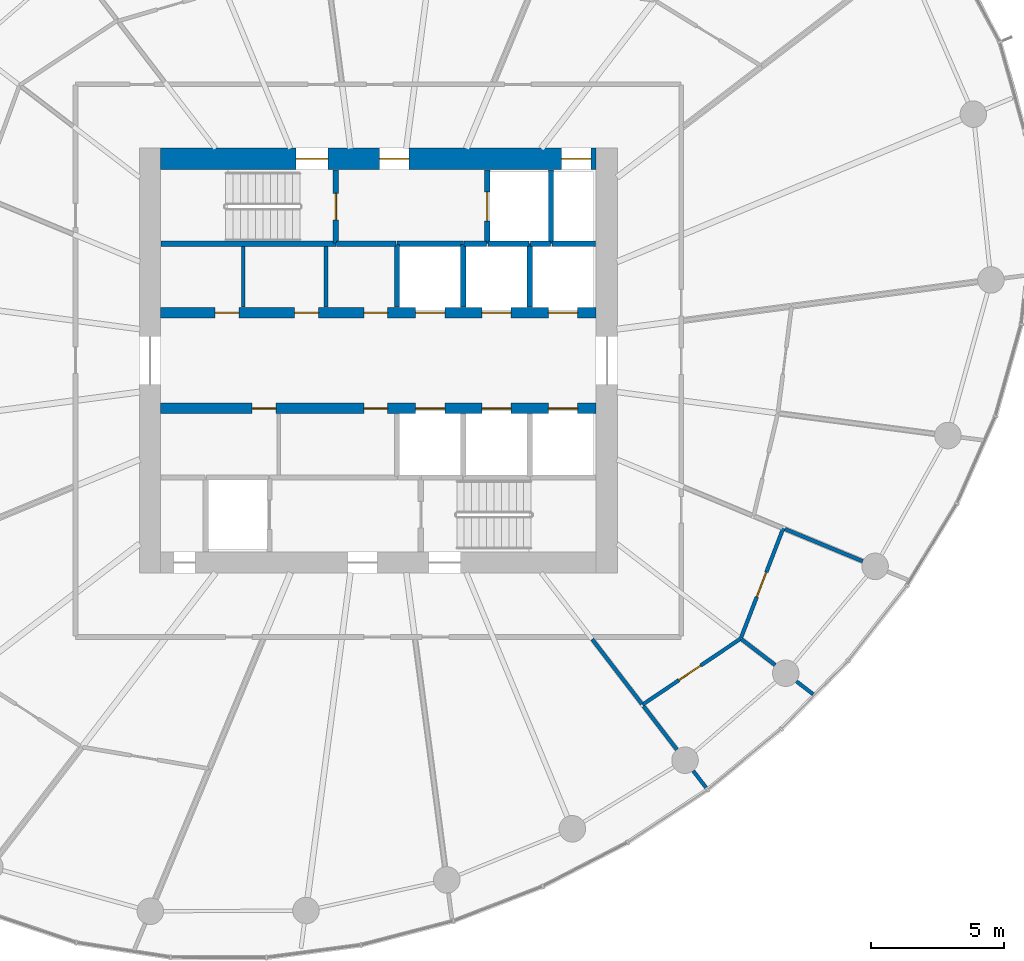
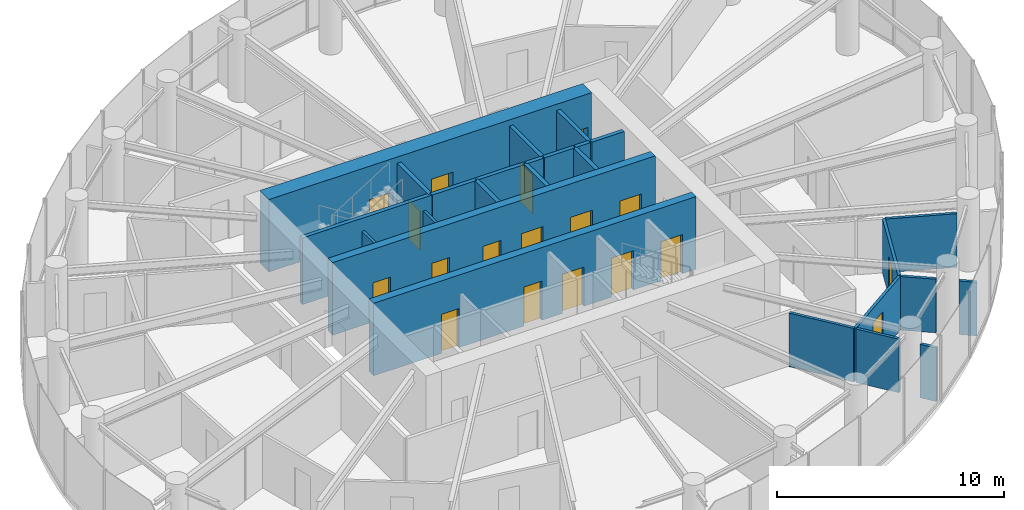
# One storey, part 10 of 15: 26 walls, 18 doors, 18 openings.
"""IFC4 building model written with IfcOpenShell, lengths in metres."""

from ifc_helpers import new_model, si_unit, direction, frame, frame_2d, origin, place, context, subcontext, project, spatial, rectangle, extrude, source, transform, mapped, material, layer, layer_set, type_object, element, fill, save


model = new_model("IFC4")

# Units and contexts
model_context = context("Model", 3, precision=1e-05, world=origin(), true_north=direction((0.0, 1.0)))
body_context = subcontext(model_context, "Body", "Model", "MODEL_VIEW")
ifc_project = project(units=[si_unit("LENGTHUNIT", "METRE"), si_unit("AREAUNIT", "SQUARE_METRE"), si_unit("VOLUMEUNIT", "CUBIC_METRE"), si_unit("PLANEANGLEUNIT", "RADIAN"), si_unit("MASSUNIT", "GRAM", prefix="KILO")], contexts=[model_context])

# Site, building, storey
site_placement = place(None, origin())
site = spatial("IfcSite", under=ifc_project, at=site_placement, CompositionType="ELEMENT")
building_placement = place(site_placement, origin())
building = spatial("IfcBuilding", under=site, at=building_placement, Name="Spindrift Exchange Tower", CompositionType="ELEMENT")
storey_placement = place(building_placement, frame((0.0, 0.0, 172.10009765625)))
storey = spatial("IfcBuildingStorey", under=building, at=storey_placement, Name="L41", CompositionType="ELEMENT", Elevation=172.10009765625)

# Wall, openings, doors
ifc_material_1 = material(Name="Concrete 65 MPa", Category="concrete")
ifc_layer_1 = layer(ifc_material_1, 0.800048828125)
ifc_layer_set_1 = layer_set([ifc_layer_1], Name="RC Core Wall 800 Concrete 65 MPa")
wall_type_1 = type_object("IfcWallType", Name="RC Core Wall 800 Concrete 65 MPa", PredefinedType="SHEAR", material=ifc_layer_set_1)
wall_1_placement = place(storey_placement, frame((60.199951171875, 55.60009765625, 0.0), z_axis=(0.0, 0.0, 1.0), x_axis=(-1.0, 0.0, 0.0)))
wall_1 = element("IfcWall", 1, at=wall_1_placement, inside=storey, type_object=wall_type_1, Name="Core wall N L41", PredefinedType="SHEAR", context=body_context, shape_type="SweptSolid", body=[
    extrude(rectangle(XDim=16.39990234375, YDim=0.800048828125, at=frame_2d((8.199951171875, 0.0))), origin(), (0.0, 0.0, 1.0), 3.89990234375),
])
opening_1_placement = place(wall_1_placement, frame((0.199951171875, 0.0, 0.0)))
opening_1 = element("IfcOpeningElement", 2, at=opening_1_placement, cuts=wall_1, Name="Opening L41-D11", PredefinedType="OPENING", context=body_context, shape_type="SweptSolid", body=[
    extrude(rectangle(XDim=1.10009765625, YDim=2.10009765625, at=frame_2d((0.550048828125, 1.050048828125))), frame((0.0, 0.409912109375, 0.0), z_axis=(0.0, -1.0, 0.0), x_axis=(1.0, 0.0, 0.0)), (0.0, 0.0, 1.0), 0.820068359375),
])
opening_2_placement = place(wall_1_placement, frame((10.10009765625, 0.0, 0.0)))
opening_2 = element("IfcOpeningElement", 3, at=opening_2_placement, cuts=wall_1, Name="Opening L41-D12", PredefinedType="OPENING", context=body_context, shape_type="SweptSolid", body=[
    extrude(rectangle(XDim=1.199951171875, YDim=2.10009765625, at=frame_2d((0.60009765625, 1.050048828125))), frame((0.0, 0.409912109375, 0.0), z_axis=(0.0, -1.0, 0.0), x_axis=(1.0, 0.0, 0.0)), (0.0, 0.0, 1.0), 0.820068359375),
])
opening_3_placement = place(wall_1_placement, frame((7.050048828125, 0.0, 0.0)))
opening_3 = element("IfcOpeningElement", 4, at=opening_3_placement, cuts=wall_1, Name="Opening L41-D14", PredefinedType="OPENING", context=body_context, shape_type="SweptSolid", body=[
    extrude(rectangle(XDim=1.10009765625, YDim=2.10009765625, at=frame_2d((0.550048828125, 1.050048828125))), frame((0.0, 0.409912109375, 0.0), z_axis=(0.0, -1.0, 0.0), x_axis=(1.0, 0.0, 0.0)), (0.0, 0.0, 1.0), 0.820068359375),
])
ifc_material_2 = material(Name="Stainless steel landing door", Category="steel")
door_type_1 = type_object("IfcDoorType", Name="DR-LANDING-1100-SL", OperationType="DOUBLE_DOOR_SLIDING", PredefinedType="USERDEFINED", material=ifc_material_2)
shared_shape_1 = source(origin(), body_context, "Body", "SweptSolid", [
    extrude(rectangle(XDim=1.10009765625, YDim=2.10009765625, at=frame_2d((0.550048828125, 1.050048828125))), frame((0.0, 0.02490234375, 0.0), z_axis=(0.0, -1.0, 0.0), x_axis=(1.0, 0.0, 0.0)), (0.0, 0.0, 1.0), 0.050048828125),
])
door_1_placement = place(opening_1_placement, origin())
door_1 = element("IfcDoor", 5, at=door_1_placement, inside=storey, type_object=door_type_1, Name="L41 Lift landing door 11", ObjectType="LANDING DOOR", OperationType="DOUBLE_DOOR_SLIDING", OverallHeight=2.10009765625, OverallWidth=1.10009765625, PredefinedType="USERDEFINED", context=body_context, shape_type="MappedRepresentation", body=[
    mapped(shared_shape_1, transform((0.0, 0.0, 0.0), scale=1.0)),
])
fill(opening_1, door_1)
ifc_material_3 = material(Name="Steel fire door", Category="steel")
door_type_2 = type_object("IfcDoorType", Name="DR-STAIR-1200", OperationType="NOTDEFINED", PredefinedType="DOOR", material=ifc_material_3)
shared_shape_2 = source(origin(), body_context, "Body", "SweptSolid", [
    extrude(rectangle(XDim=1.199951171875, YDim=2.10009765625, at=frame_2d((0.60009765625, 1.050048828125))), frame((0.0, 0.02490234375, 0.0), z_axis=(0.0, -1.0, 0.0), x_axis=(1.0, 0.0, 0.0)), (0.0, 0.0, 1.0), 0.050048828125),
])
door_2_placement = place(opening_2_placement, origin())
door_2 = element("IfcDoor", 6, at=door_2_placement, inside=storey, type_object=door_type_2, Name="L41 Stair door 12", OperationType="SINGLE_SWING_RIGHT", OverallHeight=2.10009765625, OverallWidth=1.199951171875, PredefinedType="DOOR", context=body_context, shape_type="MappedRepresentation", body=[
    mapped(shared_shape_2, transform((0.0, 0.0, 0.0), scale=1.0)),
])
fill(opening_2, door_2)
ifc_material_4 = material(Name="Timber-core fire door", Category="wood")
door_type_3 = type_object("IfcDoorType", Name="DR-LOBBY-1100", OperationType="NOTDEFINED", PredefinedType="DOOR", material=ifc_material_4)
shared_shape_3 = source(origin(), body_context, "Body", "SweptSolid", [
    extrude(rectangle(XDim=1.10009765625, YDim=2.10009765625, at=frame_2d((0.550048828125, 1.050048828125))), frame((0.0, 0.02490234375, 0.0), z_axis=(0.0, -1.0, 0.0), x_axis=(1.0, 0.0, 0.0)), (0.0, 0.0, 1.0), 0.050048828125),
])
door_3_placement = place(opening_3_placement, origin())
door_3 = element("IfcDoor", 7, at=door_3_placement, inside=storey, type_object=door_type_3, Name="L41 Lobby door 14", OperationType="SINGLE_SWING_RIGHT", OverallHeight=2.10009765625, OverallWidth=1.10009765625, PredefinedType="DOOR", context=body_context, shape_type="MappedRepresentation", body=[
    mapped(shared_shape_3, transform((0.0, 0.0, 0.0), scale=1.0)),
])
fill(opening_3, door_3)

ifc_layer_2 = layer(ifc_material_1, 0.39990234375)
ifc_layer_set_2 = layer_set([ifc_layer_2], Name="RC Spine Wall 400 Concrete 65 MPa")
wall_type_2 = type_object("IfcWallType", Name="RC Spine Wall 400 Concrete 65 MPa", PredefinedType="SHEAR", material=ifc_layer_set_2)
wall_2_placement = place(storey_placement, frame((43.800048828125, 49.800048828125, 0.0), z_axis=(0.0, 0.0, 1.0), x_axis=(1.0, 0.0, 0.0)))
wall_2 = element("IfcWall", 8, at=wall_2_placement, inside=storey, type_object=wall_type_2, Name="Core spine wall N L41", PredefinedType="SHEAR", context=body_context, shape_type="SweptSolid", body=[
    extrude(rectangle(XDim=16.39990234375, YDim=0.39990234375, at=frame_2d((8.199951171875, 0.0))), origin(), (0.0, 0.0, 1.0), 3.89990234375),
])
opening_4_placement = place(wall_2_placement, frame((9.60009765625, 0.0, 0.0)))
opening_4 = element("IfcOpeningElement", 9, at=opening_4_placement, cuts=wall_2, Name="Opening L41-D3", PredefinedType="OPENING", context=body_context, shape_type="SweptSolid", body=[
    extrude(rectangle(XDim=1.10009765625, YDim=2.10009765625, at=frame_2d((0.550048828125, 1.050048828125))), frame((0.0, 0.2099609375, 0.0), z_axis=(0.0, -1.0, 0.0), x_axis=(1.0, 0.0, 0.0)), (0.0, 0.0, 1.0), 0.419921875),
])
opening_5_placement = place(wall_2_placement, frame((12.10009765625, 0.0, 0.0)))
opening_5 = element("IfcOpeningElement", 10, at=opening_5_placement, cuts=wall_2, Name="Opening L41-D4", PredefinedType="OPENING", context=body_context, shape_type="SweptSolid", body=[
    extrude(rectangle(XDim=1.10009765625, YDim=2.10009765625, at=frame_2d((0.550048828125, 1.050048828125))), frame((0.0, 0.2099609375, 0.0), z_axis=(0.0, -1.0, 0.0), x_axis=(1.0, 0.0, 0.0)), (0.0, 0.0, 1.0), 0.419921875),
])
opening_6_placement = place(wall_2_placement, frame((14.60009765625, 0.0, 0.0)))
opening_6 = element("IfcOpeningElement", 11, at=opening_6_placement, cuts=wall_2, Name="Opening L41-D5", PredefinedType="OPENING", context=body_context, shape_type="SweptSolid", body=[
    extrude(rectangle(XDim=1.10009765625, YDim=2.10009765625, at=frame_2d((0.550048828125, 1.050048828125))), frame((0.0, 0.2099609375, 0.0), z_axis=(0.0, -1.0, 0.0), x_axis=(1.0, 0.0, 0.0)), (0.0, 0.0, 1.0), 0.419921875),
])
opening_7_placement = place(wall_2_placement, frame((2.050048828125, 0.0, 0.0)))
opening_7 = element("IfcOpeningElement", 12, at=opening_7_placement, cuts=wall_2, Name="Opening L41-D46", PredefinedType="OPENING", context=body_context, shape_type="SweptSolid", body=[
    extrude(rectangle(XDim=0.89990234375, YDim=2.10009765625, at=frame_2d((0.449951171875, 1.050048828125))), frame((0.0, 0.2099609375, 0.0), z_axis=(0.0, -1.0, 0.0), x_axis=(1.0, 0.0, 0.0)), (0.0, 0.0, 1.0), 0.419921875),
])
opening_8_placement = place(wall_2_placement, frame((5.050048828125, 0.0, 0.0)))
opening_8 = element("IfcOpeningElement", 13, at=opening_8_placement, cuts=wall_2, Name="Opening L41-D47", PredefinedType="OPENING", context=body_context, shape_type="SweptSolid", body=[
    extrude(rectangle(XDim=0.89990234375, YDim=2.10009765625, at=frame_2d((0.449951171875, 1.050048828125))), frame((0.0, 0.2099609375, 0.0), z_axis=(0.0, -1.0, 0.0), x_axis=(1.0, 0.0, 0.0)), (0.0, 0.0, 1.0), 0.419921875),
])
opening_9_placement = place(wall_2_placement, frame((7.64990234375, 0.0, 0.0)))
opening_9 = element("IfcOpeningElement", 14, at=opening_9_placement, cuts=wall_2, Name="Opening L41-D48", PredefinedType="OPENING", context=body_context, shape_type="SweptSolid", body=[
    extrude(rectangle(XDim=0.89990234375, YDim=2.10009765625, at=frame_2d((0.449951171875, 1.050048828125))), frame((0.0, 0.2099609375, 0.0), z_axis=(0.0, -1.0, 0.0), x_axis=(1.0, 0.0, 0.0)), (0.0, 0.0, 1.0), 0.419921875),
])
door_4_placement = place(opening_4_placement, origin())
door_4 = element("IfcDoor", 15, at=door_4_placement, inside=storey, type_object=door_type_1, Name="L41 Lift landing door 3", ObjectType="LANDING DOOR", OperationType="DOUBLE_DOOR_SLIDING", OverallHeight=2.10009765625, OverallWidth=1.10009765625, PredefinedType="USERDEFINED", context=body_context, shape_type="MappedRepresentation", body=[
    mapped(shared_shape_1, transform((0.0, 0.0, 0.0), scale=1.0)),
])
fill(opening_4, door_4)
door_5_placement = place(opening_5_placement, origin())
door_5 = element("IfcDoor", 16, at=door_5_placement, inside=storey, type_object=door_type_1, Name="L41 Lift landing door 4", ObjectType="LANDING DOOR", OperationType="DOUBLE_DOOR_SLIDING", OverallHeight=2.10009765625, OverallWidth=1.10009765625, PredefinedType="USERDEFINED", context=body_context, shape_type="MappedRepresentation", body=[
    mapped(shared_shape_1, transform((0.0, 0.0, 0.0), scale=1.0)),
])
fill(opening_5, door_5)
door_6_placement = place(opening_6_placement, origin())
door_6 = element("IfcDoor", 17, at=door_6_placement, inside=storey, type_object=door_type_1, Name="L41 Lift landing door 5", ObjectType="LANDING DOOR", OperationType="DOUBLE_DOOR_SLIDING", OverallHeight=2.10009765625, OverallWidth=1.10009765625, PredefinedType="USERDEFINED", context=body_context, shape_type="MappedRepresentation", body=[
    mapped(shared_shape_1, transform((0.0, 0.0, 0.0), scale=1.0)),
])
fill(opening_6, door_6)
ifc_material_5 = material(Name="Steel access door", Category="steel")
door_type_4 = type_object("IfcDoorType", Name="DR-RISER-900", OperationType="NOTDEFINED", PredefinedType="DOOR", material=ifc_material_5)
shared_shape_4 = source(origin(), body_context, "Body", "SweptSolid", [
    extrude(rectangle(XDim=0.89990234375, YDim=2.10009765625, at=frame_2d((0.449951171875, 1.050048828125))), frame((0.0, 0.02490234375, 0.0), z_axis=(0.0, -1.0, 0.0), x_axis=(1.0, 0.0, 0.0)), (0.0, 0.0, 1.0), 0.050048828125),
])
door_7_placement = place(opening_7_placement, origin())
door_7 = element("IfcDoor", 18, at=door_7_placement, inside=storey, type_object=door_type_4, Name="L41 Riser door 46", OperationType="SINGLE_SWING_RIGHT", OverallHeight=2.10009765625, OverallWidth=0.89990234375, PredefinedType="DOOR", context=body_context, shape_type="MappedRepresentation", body=[
    mapped(shared_shape_4, transform((0.0, 0.0, 0.0), scale=1.0)),
])
fill(opening_7, door_7)
door_8_placement = place(opening_8_placement, origin())
door_8 = element("IfcDoor", 19, at=door_8_placement, inside=storey, type_object=door_type_4, Name="L41 Riser door 47", OperationType="SINGLE_SWING_LEFT", OverallHeight=2.10009765625, OverallWidth=0.89990234375, PredefinedType="DOOR", context=body_context, shape_type="MappedRepresentation", body=[
    mapped(shared_shape_4, transform((0.0, 0.0, 0.0), scale=1.0)),
])
fill(opening_8, door_8)
door_9_placement = place(opening_9_placement, origin())
door_9 = element("IfcDoor", 20, at=door_9_placement, inside=storey, type_object=door_type_4, Name="L41 Riser door 48", OperationType="SINGLE_SWING_RIGHT", OverallHeight=2.10009765625, OverallWidth=0.89990234375, PredefinedType="DOOR", context=body_context, shape_type="MappedRepresentation", body=[
    mapped(shared_shape_4, transform((0.0, 0.0, 0.0), scale=1.0)),
])
fill(opening_9, door_9)

wall_3_placement = place(storey_placement, frame((43.800048828125, 46.199951171875, 0.0), z_axis=(0.0, 0.0, 1.0), x_axis=(1.0, 0.0, 0.0)))
wall_3 = element("IfcWall", 21, at=wall_3_placement, inside=storey, type_object=wall_type_2, Name="Core spine wall S L41", PredefinedType="SHEAR", context=body_context, shape_type="SweptSolid", body=[
    extrude(rectangle(XDim=16.39990234375, YDim=0.39990234375, at=frame_2d((8.199951171875, 0.0))), origin(), (0.0, 0.0, 1.0), 3.89990234375),
])
opening_10_placement = place(wall_3_placement, frame((9.60009765625, 0.0, 0.0)))
opening_10 = element("IfcOpeningElement", 22, at=opening_10_placement, cuts=wall_3, Name="Opening L41-D6", PredefinedType="OPENING", context=body_context, shape_type="SweptSolid", body=[
    extrude(rectangle(XDim=1.10009765625, YDim=2.10009765625, at=frame_2d((0.550048828125, 1.050048828125))), frame((0.0, 0.2099609375, 0.0), z_axis=(0.0, -1.0, 0.0), x_axis=(1.0, 0.0, 0.0)), (0.0, 0.0, 1.0), 0.419921875),
])
opening_11_placement = place(wall_3_placement, frame((12.10009765625, 0.0, 0.0)))
opening_11 = element("IfcOpeningElement", 23, at=opening_11_placement, cuts=wall_3, Name="Opening L41-D7", PredefinedType="OPENING", context=body_context, shape_type="SweptSolid", body=[
    extrude(rectangle(XDim=1.10009765625, YDim=2.10009765625, at=frame_2d((0.550048828125, 1.050048828125))), frame((0.0, 0.2099609375, 0.0), z_axis=(0.0, -1.0, 0.0), x_axis=(1.0, 0.0, 0.0)), (0.0, 0.0, 1.0), 0.419921875),
])
opening_12_placement = place(wall_3_placement, frame((14.60009765625, 0.0, 0.0)))
opening_12 = element("IfcOpeningElement", 24, at=opening_12_placement, cuts=wall_3, Name="Opening L41-D8", PredefinedType="OPENING", context=body_context, shape_type="SweptSolid", body=[
    extrude(rectangle(XDim=1.10009765625, YDim=2.10009765625, at=frame_2d((0.550048828125, 1.050048828125))), frame((0.0, 0.2099609375, 0.0), z_axis=(0.0, -1.0, 0.0), x_axis=(1.0, 0.0, 0.0)), (0.0, 0.0, 1.0), 0.419921875),
])
opening_13_placement = place(wall_3_placement, frame((3.449951171875, 0.0, 0.0)))
opening_13 = element("IfcOpeningElement", 25, at=opening_13_placement, cuts=wall_3, Name="Opening L41-D49", PredefinedType="OPENING", context=body_context, shape_type="SweptSolid", body=[
    extrude(rectangle(XDim=0.89990234375, YDim=2.10009765625, at=frame_2d((0.449951171875, 1.050048828125))), frame((0.0, 0.2099609375, 0.0), z_axis=(0.0, -1.0, 0.0), x_axis=(1.0, 0.0, 0.0)), (0.0, 0.0, 1.0), 0.419921875),
])
opening_14_placement = place(wall_3_placement, frame((7.64990234375, 0.0, 0.0)))
opening_14 = element("IfcOpeningElement", 26, at=opening_14_placement, cuts=wall_3, Name="Opening L41-D50", PredefinedType="OPENING", context=body_context, shape_type="SweptSolid", body=[
    extrude(rectangle(XDim=0.89990234375, YDim=2.10009765625, at=frame_2d((0.449951171875, 1.050048828125))), frame((0.0, 0.2099609375, 0.0), z_axis=(0.0, -1.0, 0.0), x_axis=(1.0, 0.0, 0.0)), (0.0, 0.0, 1.0), 0.419921875),
])
door_10_placement = place(opening_10_placement, origin())
door_10 = element("IfcDoor", 27, at=door_10_placement, inside=storey, type_object=door_type_1, Name="L41 Lift landing door 6", ObjectType="LANDING DOOR", OperationType="DOUBLE_DOOR_SLIDING", OverallHeight=2.10009765625, OverallWidth=1.10009765625, PredefinedType="USERDEFINED", context=body_context, shape_type="MappedRepresentation", body=[
    mapped(shared_shape_1, transform((0.0, 0.0, 0.0), scale=1.0)),
])
fill(opening_10, door_10)
door_11_placement = place(opening_11_placement, origin())
door_11 = element("IfcDoor", 28, at=door_11_placement, inside=storey, type_object=door_type_1, Name="L41 Lift landing door 7", ObjectType="LANDING DOOR", OperationType="DOUBLE_DOOR_SLIDING", OverallHeight=2.10009765625, OverallWidth=1.10009765625, PredefinedType="USERDEFINED", context=body_context, shape_type="MappedRepresentation", body=[
    mapped(shared_shape_1, transform((0.0, 0.0, 0.0), scale=1.0)),
])
fill(opening_11, door_11)
door_12_placement = place(opening_12_placement, origin())
door_12 = element("IfcDoor", 29, at=door_12_placement, inside=storey, type_object=door_type_1, Name="L41 Lift landing door 8", ObjectType="LANDING DOOR", OperationType="DOUBLE_DOOR_SLIDING", OverallHeight=2.10009765625, OverallWidth=1.10009765625, PredefinedType="USERDEFINED", context=body_context, shape_type="MappedRepresentation", body=[
    mapped(shared_shape_1, transform((0.0, 0.0, 0.0), scale=1.0)),
])
fill(opening_12, door_12)
door_13_placement = place(opening_13_placement, origin())
door_13 = element("IfcDoor", 30, at=door_13_placement, inside=storey, type_object=door_type_4, Name="L41 Riser door 49", OperationType="SINGLE_SWING_LEFT", OverallHeight=2.10009765625, OverallWidth=0.89990234375, PredefinedType="DOOR", context=body_context, shape_type="MappedRepresentation", body=[
    mapped(shared_shape_4, transform((0.0, 0.0, 0.0), scale=1.0)),
])
fill(opening_13, door_13)
door_14_placement = place(opening_14_placement, origin())
door_14 = element("IfcDoor", 31, at=door_14_placement, inside=storey, type_object=door_type_4, Name="L41 Riser door 50", OperationType="SINGLE_SWING_RIGHT", OverallHeight=2.10009765625, OverallWidth=0.89990234375, PredefinedType="DOOR", context=body_context, shape_type="MappedRepresentation", body=[
    mapped(shared_shape_4, transform((0.0, 0.0, 0.0), scale=1.0)),
])
fill(opening_14, door_14)

# Wall, opening, door
ifc_material_6 = material(Name="Fire-rated plasterboard partition", Category="gypsum")
ifc_layer_3 = layer(ifc_material_6, 0.139892578125)
ifc_layer_set_3 = layer_set([ifc_layer_3], Name="W-PART-140")
wall_type_3 = type_object("IfcWallType", Name="W-PART-140", PredefinedType="PARTITIONING", material=ifc_layer_set_3)
wall_4_placement = place(storey_placement, frame((65.639404296875, 37.5341796875, 0.0), z_axis=(0.0, 0.0, 1.0), x_axis=(-0.829726260186, -0.558170523368, 0.0)))
wall_4 = element("IfcWall", 32, at=wall_4_placement, inside=storey, type_object=wall_type_3, Name="L41 Partition wall 51", PredefinedType="PARTITIONING", context=body_context, shape_type="SweptSolid", body=[
    extrude(rectangle(XDim=4.458251953125, YDim=0.139892578125, at=frame_2d((2.22900390625, 0.0))), origin(), (0.0, 0.0, 1.0), 2.8798828125),
])
opening_15_placement = place(wall_4_placement, frame((1.808349609375, 0.0, 0.0)))
opening_15 = element("IfcOpeningElement", 33, at=opening_15_placement, cuts=wall_4, Name="Opening L41-D33", PredefinedType="OPENING", context=body_context, shape_type="SweptSolid", body=[
    extrude(rectangle(XDim=1.0, YDim=2.10009765625, at=frame_2d((0.5, 1.050048828125))), frame((0.0, 0.079833984375, 0.0), z_axis=(0.0, -1.0, 0.0), x_axis=(1.0, 0.0, 0.0)), (0.0, 0.0, 1.0), 0.159912109375),
])
door_type_5 = type_object("IfcDoorType", Name="DR-ROOM-1000", OperationType="NOTDEFINED", PredefinedType="DOOR", material=ifc_material_4)
shared_shape_5 = source(origin(), body_context, "Body", "SweptSolid", [
    extrude(rectangle(XDim=1.0, YDim=2.10009765625, at=frame_2d((0.5, 1.050048828125))), frame((0.0, 0.02490234375, 0.0), z_axis=(0.0, -1.0, 0.0), x_axis=(1.0, 0.0, 0.0)), (0.0, 0.0, 1.0), 0.050048828125),
])
door_15_placement = place(opening_15_placement, origin())
door_15 = element("IfcDoor", 34, at=door_15_placement, inside=storey, type_object=door_type_5, Name="L41 Door 33", OperationType="SINGLE_SWING_LEFT", OverallHeight=2.10009765625, OverallWidth=1.0, PredefinedType="DOOR", context=body_context, shape_type="MappedRepresentation", body=[
    mapped(shared_shape_5, transform((0.0, 0.0, 0.0), scale=1.0)),
])
fill(opening_15, door_15)

wall_5_placement = place(storey_placement, frame((67.2412109375, 41.68701171875, 0.0), z_axis=(0.0, 0.0, 1.0), x_axis=(-0.359870694831, -0.933002188101, 0.0)))
wall_5 = element("IfcWall", 35, at=wall_5_placement, inside=storey, type_object=wall_type_3, Name="L41 Partition wall 52", PredefinedType="PARTITIONING", context=body_context, shape_type="SweptSolid", body=[
    extrude(rectangle(XDim=4.421142578125, YDim=0.139892578125, at=frame_2d((2.21044921875, 0.0))), origin(), (0.0, 0.0, 1.0), 2.8798828125),
])
opening_16_placement = place(wall_5_placement, frame((1.77099609375, 0.0, 0.0)))
opening_16 = element("IfcOpeningElement", 36, at=opening_16_placement, cuts=wall_5, Name="Opening L41-D34", PredefinedType="OPENING", context=body_context, shape_type="SweptSolid", body=[
    extrude(rectangle(XDim=1.0, YDim=2.10009765625, at=frame_2d((0.5, 1.050048828125))), frame((0.0, 0.079833984375, 0.0), z_axis=(0.0, -1.0, 0.0), x_axis=(1.0, 0.0, 0.0)), (0.0, 0.0, 1.0), 0.159912109375),
])
door_16_placement = place(opening_16_placement, origin())
door_16 = element("IfcDoor", 37, at=door_16_placement, inside=storey, type_object=door_type_5, Name="L41 Door 34", OperationType="SINGLE_SWING_RIGHT", OverallHeight=2.10009765625, OverallWidth=1.0, PredefinedType="DOOR", context=body_context, shape_type="MappedRepresentation", body=[
    mapped(shared_shape_5, transform((0.0, 0.0, 0.0), scale=1.0)),
])
fill(opening_16, door_16)

# Walls
wall_6_placement = place(storey_placement, frame((67.305908203125, 41.66015625, 0.0), z_axis=(0.0, 0.0, 1.0), x_axis=(0.923868420414, -0.38271025824, 0.0)))
element("IfcWall", 38, at=wall_6_placement, inside=storey, type_object=wall_type_3, Name="L41 Partition wall 68", PredefinedType="PARTITIONING", context=body_context, shape_type="SweptSolid", body=[
    extrude(rectangle(XDim=3.16796875, YDim=0.139892578125, at=frame_2d((1.583984375, 0.0))), origin(), (0.0, 0.0, 1.0), 2.8798828125),
])
wall_7_placement = place(storey_placement, frame((60.04931640625, 37.510009765625, 0.0), z_axis=(0.0, 0.0, 1.0), x_axis=(0.608763032439, -0.793352109933, 0.0)))
element("IfcWall", 39, at=wall_7_placement, inside=storey, type_object=wall_type_3, Name="L41 Partition wall 69", PredefinedType="PARTITIONING", context=body_context, shape_type="SweptSolid", body=[
    extrude(rectangle(XDim=3.076416015625, YDim=0.139892578125, at=frame_2d((1.5380859375, 0.0))), origin(), (0.0, 0.0, 1.0), 2.8798828125),
])
for number, where, z_axis, x_axis, name in (
    (40, (46.9150390625, 50.010009765625, 0.0), (0.0, 0.0, 1.0), (0.0, 1.0, 0.0), "L41 Partition wall 73"),
    (41, (50.030029296875, 50.010009765625, 0.0), (0.0, 0.0, 1.0), (0.0, 1.0, 0.0), "L41 Partition wall 75"),
):
    element("IfcWall", number, at=place(storey_placement, frame(where, z_axis=z_axis, x_axis=x_axis)), inside=storey, type_object=wall_type_3, Name=name, PredefinedType="PARTITIONING", context=body_context, shape_type="SweptSolid", body=[
        extrude(rectangle(XDim=2.2900390625, YDim=0.139892578125, at=frame_2d((1.14501953125, 0.0))), origin(), (0.0, 0.0, 1.0), 2.8798828125),
    ])
wall_8_placement = place(storey_placement, frame((61.98291015625, 34.989990234375, 0.0), z_axis=(0.0, 0.0, 1.0), x_axis=(0.608725109578, -0.79338120785, 0.0)))
element("IfcWall", 42, at=wall_8_placement, inside=storey, type_object=wall_type_3, Name="L41 Partition wall 77", PredefinedType="PARTITIONING", context=body_context, shape_type="SweptSolid", body=[
    extrude(rectangle(XDim=2.059814453125, YDim=0.139892578125, at=frame_2d((1.02978515625, 0.0))), origin(), (0.0, 0.0, 1.0), 2.8798828125),
])
wall_9_placement = place(storey_placement, frame((65.6630859375, 37.515869140625, 0.0), z_axis=(0.0, 0.0, 1.0), x_axis=(0.793341796664, -0.608776472661, 0.0)))
element("IfcWall", 43, at=wall_9_placement, inside=storey, type_object=wall_type_3, Name="L41 Partition wall 78", PredefinedType="PARTITIONING", context=body_context, shape_type="SweptSolid", body=[
    extrude(rectangle(XDim=1.6044921875, YDim=0.139892578125, at=frame_2d((0.80224609375, 0.0))), origin(), (0.0, 0.0, 1.0), 2.8798828125),
])
wall_10_placement = place(storey_placement, frame((67.736572265625, 35.9248046875, 0.0), z_axis=(0.0, 0.0, 1.0), x_axis=(0.793295559338, -0.608836723215, 0.0)))
element("IfcWall", 44, at=wall_10_placement, inside=storey, type_object=wall_type_3, Name="L41 Partition wall 98", PredefinedType="PARTITIONING", context=body_context, shape_type="SweptSolid", body=[
    extrude(rectangle(XDim=0.796875, YDim=0.139892578125, at=frame_2d((0.3984375, 0.0))), origin(), (0.0, 0.0, 1.0), 2.8798828125),
])
wall_11_placement = place(storey_placement, frame((63.85107421875, 32.555419921875, 0.0), z_axis=(0.0, 0.0, 1.0), x_axis=(0.60871867817, -0.793386142334, 0.0)))
element("IfcWall", 45, at=wall_11_placement, inside=storey, type_object=wall_type_3, Name="L41 Partition wall 99", PredefinedType="PARTITIONING", context=body_context, shape_type="SweptSolid", body=[
    extrude(rectangle(XDim=0.785400390625, YDim=0.139892578125, at=frame_2d((0.392578125, 0.0))), origin(), (0.0, 0.0, 1.0), 2.8798828125),
])

# Wall, opening, door
ifc_material_7 = material(Name="Concrete 40 MPa", Category="concrete")
ifc_layer_4 = layer(ifc_material_7, 0.199951171875)
ifc_layer_set_4 = layer_set([ifc_layer_4], Name="W-SHAFT-200")
wall_type_4 = type_object("IfcWallType", Name="W-SHAFT-200", PredefinedType="SOLIDWALL", material=ifc_layer_set_4)
wall_12_placement = place(storey_placement, frame((56.10009765625, 55.179931640625, 0.0), z_axis=(0.0, 0.0, 1.0), x_axis=(0.0, -1.0, 0.0)))
wall_12 = element("IfcWall", 46, at=wall_12_placement, inside=storey, type_object=wall_type_4, Name="L41 Shaft wall 7", PredefinedType="SOLIDWALL", context=body_context, shape_type="SweptSolid", body=[
    extrude(rectangle(XDim=2.780029296875, YDim=0.199951171875, at=frame_2d((1.39013671875, 0.0))), origin(), (0.0, 0.0, 1.0), 3.579833984375),
])
opening_17_placement = place(wall_12_placement, frame((0.830078125, 0.0, 0.0)))
opening_17 = element("IfcOpeningElement", 47, at=opening_17_placement, cuts=wall_12, Name="Opening L41-D9", PredefinedType="OPENING", context=body_context, shape_type="SweptSolid", body=[
    extrude(rectangle(XDim=1.10009765625, YDim=2.10009765625, at=frame_2d((0.550048828125, 1.050048828125))), frame((0.0, 0.10986328125, 0.0), z_axis=(0.0, -1.0, 0.0), x_axis=(1.0, 0.0, 0.0)), (0.0, 0.0, 1.0), 0.219970703125),
])
door_17_placement = place(opening_17_placement, origin())
door_17 = element("IfcDoor", 48, at=door_17_placement, inside=storey, type_object=door_type_1, Name="L41 Lift landing door 9", ObjectType="LANDING DOOR", OperationType="DOUBLE_DOOR_SLIDING", OverallHeight=2.10009765625, OverallWidth=1.10009765625, PredefinedType="USERDEFINED", context=body_context, shape_type="MappedRepresentation", body=[
    mapped(shared_shape_1, transform((0.0, 0.0, 0.0), scale=1.0)),
])
fill(opening_17, door_17)

# Walls
wall_13_placement = place(storey_placement, frame((58.5, 52.39990234375, 0.0), z_axis=(0.0, 0.0, 1.0), x_axis=(0.0, 1.0, 0.0)))
element("IfcWall", 49, at=wall_13_placement, inside=storey, type_object=wall_type_4, Name="L41 Shaft wall 8", PredefinedType="SOLIDWALL", context=body_context, shape_type="SweptSolid", body=[
    extrude(rectangle(XDim=2.780029296875, YDim=0.199951171875, at=frame_2d((1.39013671875, 0.0))), origin(), (0.0, 0.0, 1.0), 3.579833984375),
])
wall_14_placement = place(storey_placement, frame((55.199951171875, 52.39990234375, 0.0), z_axis=(0.0, 0.0, 1.0), x_axis=(-1.0, 0.0, 0.0)))
element("IfcWall", 50, at=wall_14_placement, inside=storey, type_object=wall_type_4, Name="L41 Shaft wall 9", PredefinedType="SOLIDWALL", context=body_context, shape_type="SweptSolid", body=[
    extrude(rectangle(XDim=2.5, YDim=0.199951171875, at=frame_2d((1.25, 0.0))), origin(), (0.0, 0.0, 1.0), 3.579833984375),
])
for number, where, z_axis, x_axis, name in (
    (51, (52.699951171875, 52.3701171875, 0.0), (0.0, 0.0, 1.0), (0.0, -1.0, 0.0), "L41 Shaft wall 14"),
    (52, (55.199951171875, 50.010009765625, 0.0), (0.0, 0.0, 1.0), (0.0, 1.0, 0.0), "L41 Shaft wall 16"),
):
    element("IfcWall", number, at=place(storey_placement, frame(where, z_axis=z_axis, x_axis=x_axis)), inside=storey, type_object=wall_type_4, Name=name, PredefinedType="SOLIDWALL", context=body_context, shape_type="SweptSolid", body=[
        extrude(rectangle(XDim=2.360107421875, YDim=0.199951171875, at=frame_2d((1.18017578125, 0.0))), origin(), (0.0, 0.0, 1.0), 3.579833984375),
    ])
wall_15_placement = place(storey_placement, frame((57.699951171875, 50.010009765625, 0.0), z_axis=(0.0, 0.0, 1.0), x_axis=(0.0, 1.0, 0.0)))
element("IfcWall", 53, at=wall_15_placement, inside=storey, type_object=wall_type_4, Name="L41 Shaft wall 18", PredefinedType="SOLIDWALL", context=body_context, shape_type="SweptSolid", body=[
    extrude(rectangle(XDim=2.389892578125, YDim=0.199951171875, at=frame_2d((1.19482421875, 0.0))), origin(), (0.0, 0.0, 1.0), 3.579833984375),
])
wall_16_placement = place(storey_placement, frame((60.179931640625, 52.39990234375, 0.0), z_axis=(0.0, 0.0, 1.0), x_axis=(-1.0, 0.0, 0.0)))
element("IfcWall", 54, at=wall_16_placement, inside=storey, type_object=wall_type_4, Name="L41 Shaft wall 21", PredefinedType="SOLIDWALL", context=body_context, shape_type="SweptSolid", body=[
    extrude(rectangle(XDim=1.64990234375, YDim=0.199951171875, at=frame_2d((0.824951171875, 0.0))), origin(), (0.0, 0.0, 1.0), 3.579833984375),
])
wall_17_placement = place(storey_placement, frame((57.669921875, 52.39990234375, 0.0), z_axis=(0.0, 0.0, 1.0), x_axis=(-1.0, 0.0, 0.0)))
element("IfcWall", 55, at=wall_17_placement, inside=storey, type_object=wall_type_4, Name="L41 Shaft wall 23", PredefinedType="SOLIDWALL", context=body_context, shape_type="SweptSolid", body=[
    extrude(rectangle(XDim=1.5400390625, YDim=0.199951171875, at=frame_2d((0.77001953125, 0.0))), origin(), (0.0, 0.0, 1.0), 3.579833984375),
])
wall_18_placement = place(storey_placement, frame((56.070068359375, 52.39990234375, 0.0), z_axis=(0.0, 0.0, 1.0), x_axis=(-1.0, 0.0, 0.0)))
element("IfcWall", 56, at=wall_18_placement, inside=storey, type_object=wall_type_4, Name="L41 Shaft wall 25", PredefinedType="SOLIDWALL", context=body_context, shape_type="SweptSolid", body=[
    extrude(rectangle(XDim=0.840087890625, YDim=0.199951171875, at=frame_2d((0.419921875, 0.0))), origin(), (0.0, 0.0, 1.0), 3.579833984375),
])
wall_19_placement = place(storey_placement, frame((58.469970703125, 52.39990234375, 0.0), z_axis=(0.0, 0.0, 1.0), x_axis=(-1.0, 0.0, 0.0)))
element("IfcWall", 57, at=wall_19_placement, inside=storey, type_object=wall_type_4, Name="L41 Shaft wall 26", PredefinedType="SOLIDWALL", context=body_context, shape_type="SweptSolid", body=[
    extrude(rectangle(XDim=0.739990234375, YDim=0.199951171875, at=frame_2d((0.3701171875, 0.0))), origin(), (0.0, 0.0, 1.0), 3.579833984375),
])
ifc_layer_5 = layer(ifc_material_7, 0.199951171875)
ifc_layer_set_5 = layer_set([ifc_layer_5], Name="W-SHAFT-200-LB")
wall_type_5 = type_object("IfcWallType", Name="W-SHAFT-200-LB", PredefinedType="SOLIDWALL", material=ifc_layer_set_5)
wall_20_placement = place(storey_placement, frame((43.820068359375, 52.39990234375, 0.0), z_axis=(0.0, 0.0, 1.0), x_axis=(1.0, 0.0, 0.0)))
element("IfcWall", 58, at=wall_20_placement, inside=storey, type_object=wall_type_5, Name="L41 Shaft wall 1", PredefinedType="SOLIDWALL", context=body_context, shape_type="SweptSolid", body=[
    extrude(rectangle(XDim=6.579833984375, YDim=0.199951171875, at=frame_2d((3.2900390625, 0.0))), origin(), (0.0, 0.0, 1.0), 3.579833984375),
])

# Wall, opening, door
wall_21_placement = place(storey_placement, frame((50.39990234375, 52.429931640625, 0.0), z_axis=(0.0, 0.0, 1.0), x_axis=(0.0, 1.0, 0.0)))
wall_21 = element("IfcWall", 59, at=wall_21_placement, inside=storey, type_object=wall_type_5, Name="L41 Shaft wall 5", PredefinedType="SOLIDWALL", context=body_context, shape_type="SweptSolid", body=[
    extrude(rectangle(XDim=2.75, YDim=0.199951171875, at=frame_2d((1.375, 0.0))), origin(), (0.0, 0.0, 1.0), 3.579833984375),
])
opening_18_placement = place(wall_21_placement, frame((0.8701171875, 0.0, 0.0)))
opening_18 = element("IfcOpeningElement", 60, at=opening_18_placement, cuts=wall_21, Name="Opening L41-D13", PredefinedType="OPENING", context=body_context, shape_type="SweptSolid", body=[
    extrude(rectangle(XDim=1.0, YDim=2.10009765625, at=frame_2d((0.5, 1.050048828125))), frame((0.0, 0.10986328125, 0.0), z_axis=(0.0, -1.0, 0.0), x_axis=(1.0, 0.0, 0.0)), (0.0, 0.0, 1.0), 0.219970703125),
])
door_type_6 = type_object("IfcDoorType", Name="DR-STAIR-1000", OperationType="NOTDEFINED", PredefinedType="DOOR", material=ifc_material_3)
shared_shape_6 = source(origin(), body_context, "Body", "SweptSolid", [
    extrude(rectangle(XDim=1.0, YDim=2.10009765625, at=frame_2d((0.5, 1.050048828125))), frame((0.0, 0.02490234375, 0.0), z_axis=(0.0, -1.0, 0.0), x_axis=(1.0, 0.0, 0.0)), (0.0, 0.0, 1.0), 0.050048828125),
])
door_18_placement = place(opening_18_placement, origin())
door_18 = element("IfcDoor", 61, at=door_18_placement, inside=storey, type_object=door_type_6, Name="L41 Stair door 13", OperationType="SINGLE_SWING_LEFT", OverallHeight=2.10009765625, OverallWidth=1.0, PredefinedType="DOOR", context=body_context, shape_type="MappedRepresentation", body=[
    mapped(shared_shape_6, transform((0.0, 0.0, 0.0), scale=1.0)),
])
fill(opening_18, door_18)

# Wall
wall_22_placement = place(storey_placement, frame((50.429931640625, 52.39990234375, 0.0), z_axis=(0.0, 0.0, 1.0), x_axis=(1.0, 0.0, 0.0)))
element("IfcWall", 62, at=wall_22_placement, inside=storey, type_object=wall_type_5, Name="L41 Shaft wall 19", PredefinedType="SOLIDWALL", context=body_context, shape_type="SweptSolid", body=[
    extrude(rectangle(XDim=2.239990234375, YDim=0.199951171875, at=frame_2d((1.1201171875, 0.0))), origin(), (0.0, 0.0, 1.0), 3.579833984375),
])

save(model, "model.ifc")
